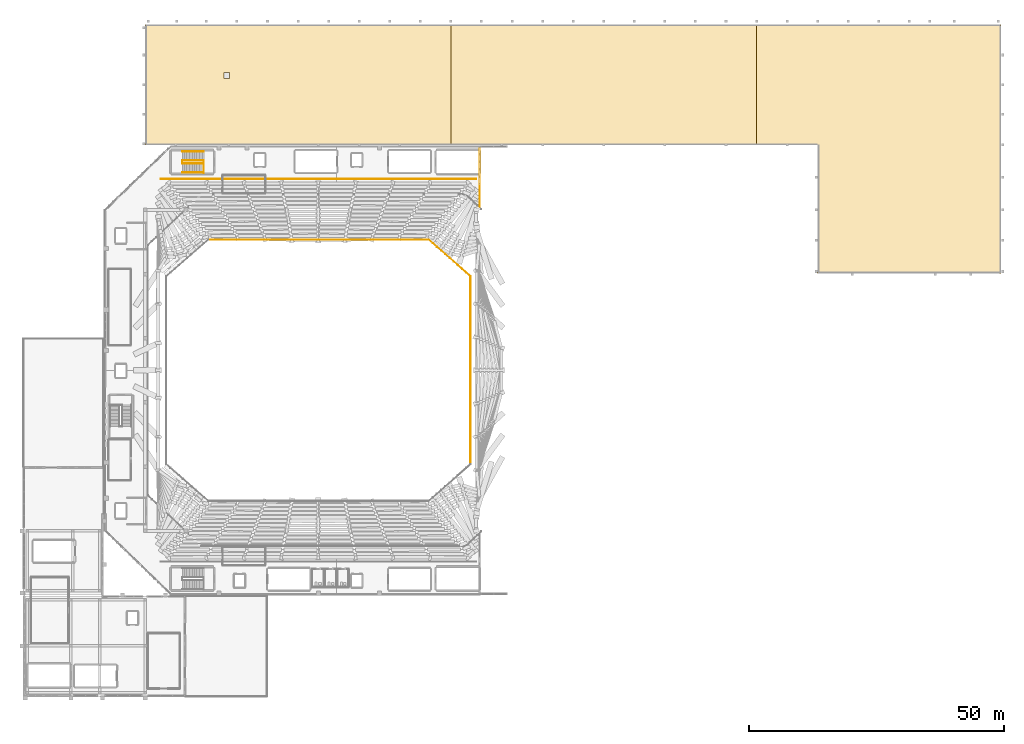
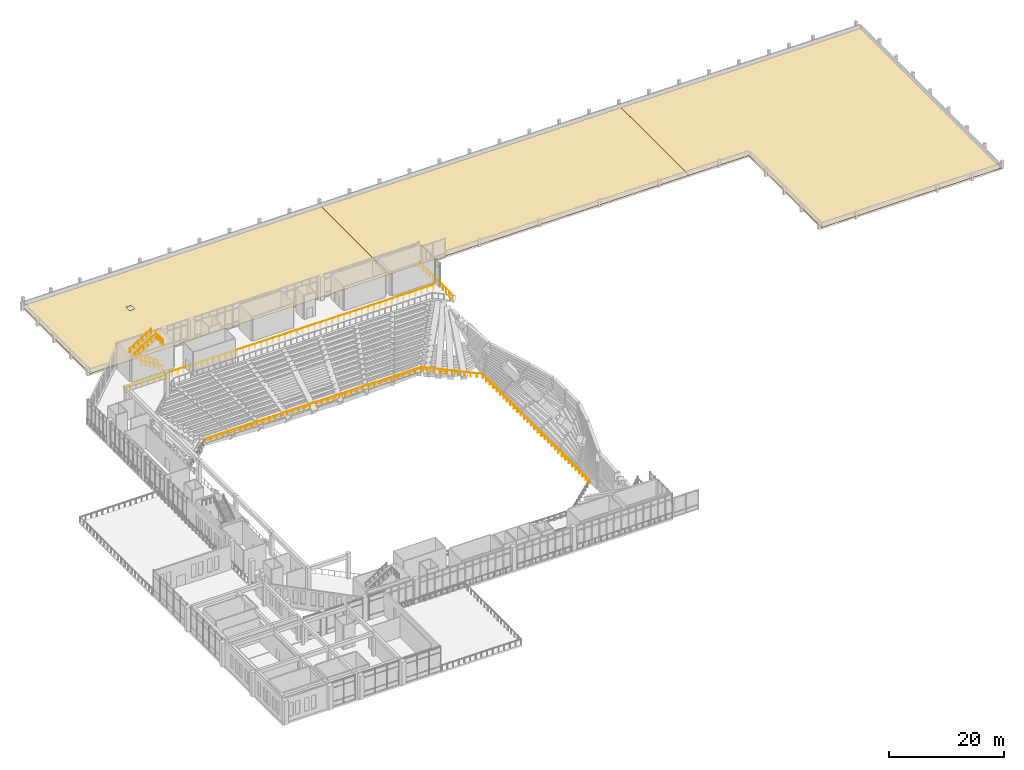
# One storey, part 54 of 55: 9 railings, 3 coverings, 1 element without a shape of its own.
"""IFC4 building model written with IfcOpenShell, lengths in metres."""

from ifc_helpers import new_model, si_unit, derived_unit, direction, frame, origin, origin_2d, place, context, subcontext, project, spatial, polyline, circle, outline, extrude, material, layer, layer_set, type_object, element, aggregate, save


model = new_model("IFC4")

# Units and contexts
model_context = context("Model", 3, precision=1e-05, world=origin(), true_north=direction((0.0, 1.0)))
body_context = subcontext(model_context, "Body", "Model", "MODEL_VIEW")
ifc_project = project(units=[si_unit("LENGTHUNIT", "METRE"), si_unit("AREAUNIT", "SQUARE_METRE"), si_unit("VOLUMEUNIT", "CUBIC_METRE"), si_unit("PLANEANGLEUNIT", "RADIAN"), si_unit("MASSUNIT", "GRAM", prefix="KILO"), derived_unit("THERMALTRANSMITTANCEUNIT", [(si_unit("MASSUNIT", "GRAM", prefix="KILO"), 1), (si_unit("TIMEUNIT", "SECOND"), -3), (si_unit("THERMODYNAMICTEMPERATUREUNIT", "KELVIN"), -1)])], contexts=[model_context])

# Site, building, storey
site_placement = place(None, origin())
site = spatial("IfcSite", under=ifc_project, at=site_placement, CompositionType="ELEMENT")
building_placement = place(site_placement, origin())
building = spatial("IfcBuilding", under=site, at=building_placement, Name="Valcora Ridge Arena", CompositionType="ELEMENT")
storey_placement = place(building_placement, frame((0.0, 0.0, 21.0)))
storey = spatial("IfcBuildingStorey", under=building, at=storey_placement, Name="L04", CompositionType="ELEMENT", Elevation=21.0)

# Roof, coverings
ifc_material_1 = material(Name="Weathered zinc-bronze standing-seam metal Grade Z275")
roof_type = type_object("IfcRoofType", Name="TY-ROOF-ROOF-SYS-V5", PredefinedType="FLAT_ROOF", material=ifc_material_1)
roof_placement = place(storey_placement, origin())
roof = element("IfcRoof", 1, at=roof_placement, inside=storey, type_object=roof_type, Name="ROOF-SYS-V5 ROF-0005", PredefinedType="FLAT_ROOF")
ifc_layer = layer(ifc_material_1, 0.0400390625, Name="Weathered zinc-bronze standing-seam metal Grade Z275")
ifc_layer_set = layer_set([ifc_layer], Name="Weathered zinc-bronze standing-seam metal Grade Z275")
covering_type = type_object("IfcCoveringType", Name="TY-COVERING-COV-ZINC-V5", PredefinedType="ROOFING", material=ifc_layer_set)
covering_1_placement = place(storey_placement, origin())
covering_1 = element("IfcCovering", 2, at=covering_1_placement, type_object=covering_type, Name="COV-ZINC-V5 COV-RF-0103", PredefinedType="ROOFING", context=body_context, shape_type="SweptSolid", body=[
    extrude(outline(polyline([(24.0, 108.35009765625), (84.0, 108.35009765625), (84.0, 132.0), (24.0, 132.0), (24.0, 108.35009765625)]), holes=[polyline([(40.544921875, 122.594970703125), (39.455078125, 122.594970703125), (39.455078125, 121.405029296875), (40.544921875, 121.405029296875), (40.544921875, 122.594970703125)])]), origin(), (0.0, 0.0, 1.0), 0.0400390625),
])
covering_2_placement = place(storey_placement, origin())
covering_2 = element("IfcCovering", 3, at=covering_2_placement, type_object=covering_type, Name="COV-ZINC-V5 COV-RF-0104", PredefinedType="ROOFING", context=body_context, shape_type="SweptSolid", body=[
    extrude(outline(polyline([(84.0, 108.35009765625), (144.0, 108.35009765625), (144.0, 132.0), (84.0, 132.0), (84.0, 108.35009765625)])), origin(), (0.0, 0.0, 1.0), 0.0400390625),
])
covering_3_placement = place(storey_placement, origin())
covering_3 = element("IfcCovering", 4, at=covering_3_placement, type_object=covering_type, Name="COV-ZINC-V5 COV-RF-0105", PredefinedType="ROOFING", context=body_context, shape_type="SweptSolid", body=[
    extrude(outline(polyline([(156.0, 83.14990234375), (192.0, 83.14990234375), (192.0, 108.35009765625), (192.0, 132.0), (144.0, 132.0), (144.0, 108.35009765625), (156.0, 108.35009765625), (156.0, 83.14990234375)])), origin(), (0.0, 0.0, 1.0), 0.0400390625),
])
aggregate(roof, [covering_1, covering_2, covering_3])

# Railings
ifc_material_2 = material(Name="Galvanized painted steel ASTM A500 Grade B", Category="steel")
railing_type_1 = type_object("IfcRailingType", Name="TY-RAILING-BAL-BOWL-850", PredefinedType="BALUSTRADE", material=ifc_material_2)
railing_1_placement = place(storey_placement, frame((87.85009765625, 45.64990234375, -7.60009765625)))
element("IfcRailing", 5, at=railing_1_placement, inside=storey, type_object=railing_type_1, Name="BAL-BOWL-850 RAL-BW-0019", PredefinedType="BALUSTRADE", context=body_context, shape_type="SweptSolid", body=[
    extrude(circle(Radius=0.02392578125, at=origin_2d()), frame((0.0, 0.0, 0.826171875), z_axis=(0.0, 1.0, 0.0), x_axis=(-1.0, 0.0, 0.0)), (0.0, 0.0, 1.0), 36.900146484375),
    extrude(circle(Radius=0.02099609375, at=origin_2d()), origin(), (0.0, 0.0, 1.0), 0.802001953125),
    extrude(circle(Radius=0.02099609375, at=origin_2d()), frame((0.0, 1.1904296875, 0.0)), (0.0, 0.0, 1.0), 0.802001953125),
    extrude(circle(Radius=0.02099609375, at=origin_2d()), frame((0.0, 2.380615234375, 0.0)), (0.0, 0.0, 1.0), 0.802001953125),
    extrude(circle(Radius=0.02099609375, at=origin_2d()), frame((0.0, 3.571044921875, 0.0)), (0.0, 0.0, 1.0), 0.802001953125),
    extrude(circle(Radius=0.02099609375, at=origin_2d()), frame((0.0, 4.76123046875, 0.0)), (0.0, 0.0, 1.0), 0.802001953125),
    extrude(circle(Radius=0.02099609375, at=origin_2d()), frame((0.0, 5.95166015625, 0.0)), (0.0, 0.0, 1.0), 0.802001953125),
    extrude(circle(Radius=0.02099609375, at=origin_2d()), frame((0.0, 7.141845703125, 0.0)), (0.0, 0.0, 1.0), 0.802001953125),
    extrude(circle(Radius=0.02099609375, at=origin_2d()), frame((0.0, 8.332275390625, 0.0)), (0.0, 0.0, 1.0), 0.802001953125),
    extrude(circle(Radius=0.02099609375, at=origin_2d()), frame((0.0, 9.522705078125, 0.0)), (0.0, 0.0, 1.0), 0.802001953125),
    extrude(circle(Radius=0.02099609375, at=origin_2d()), frame((0.0, 10.712890625, 0.0)), (0.0, 0.0, 1.0), 0.802001953125),
    extrude(circle(Radius=0.02099609375, at=origin_2d()), frame((0.0, 11.9033203125, 0.0)), (0.0, 0.0, 1.0), 0.802001953125),
    extrude(circle(Radius=0.02099609375, at=origin_2d()), frame((0.0, 13.093505859375, 0.0)), (0.0, 0.0, 1.0), 0.802001953125),
    extrude(circle(Radius=0.02099609375, at=origin_2d()), frame((0.0, 14.283935546875, 0.0)), (0.0, 0.0, 1.0), 0.802001953125),
    extrude(circle(Radius=0.02099609375, at=origin_2d()), frame((0.0, 15.474365234375, 0.0)), (0.0, 0.0, 1.0), 0.802001953125),
    extrude(circle(Radius=0.02099609375, at=origin_2d()), frame((0.0, 16.66455078125, 0.0)), (0.0, 0.0, 1.0), 0.802001953125),
    extrude(circle(Radius=0.02099609375, at=origin_2d()), frame((0.0, 17.85498046875, 0.0)), (0.0, 0.0, 1.0), 0.802001953125),
    extrude(circle(Radius=0.02099609375, at=origin_2d()), frame((0.0, 19.045166015625, 0.0)), (0.0, 0.0, 1.0), 0.802001953125),
    extrude(circle(Radius=0.02099609375, at=origin_2d()), frame((0.0, 20.235595703125, 0.0)), (0.0, 0.0, 1.0), 0.802001953125),
    extrude(circle(Radius=0.02099609375, at=origin_2d()), frame((0.0, 21.42578125, 0.0)), (0.0, 0.0, 1.0), 0.802001953125),
    extrude(circle(Radius=0.02099609375, at=origin_2d()), frame((0.0, 22.6162109375, 0.0)), (0.0, 0.0, 1.0), 0.802001953125),
    extrude(circle(Radius=0.02099609375, at=origin_2d()), frame((0.0, 23.806640625, 0.0)), (0.0, 0.0, 1.0), 0.802001953125),
    extrude(circle(Radius=0.02099609375, at=origin_2d()), frame((0.0, 24.996826171875, 0.0)), (0.0, 0.0, 1.0), 0.802001953125),
    extrude(circle(Radius=0.02099609375, at=origin_2d()), frame((0.0, 26.187255859375, 0.0)), (0.0, 0.0, 1.0), 0.802001953125),
    extrude(circle(Radius=0.02099609375, at=origin_2d()), frame((0.0, 27.37744140625, 0.0)), (0.0, 0.0, 1.0), 0.802001953125),
    extrude(circle(Radius=0.02099609375, at=origin_2d()), frame((0.0, 28.56787109375, 0.0)), (0.0, 0.0, 1.0), 0.802001953125),
    extrude(circle(Radius=0.02099609375, at=origin_2d()), frame((0.0, 29.75830078125, 0.0)), (0.0, 0.0, 1.0), 0.802001953125),
    extrude(circle(Radius=0.02099609375, at=origin_2d()), frame((0.0, 30.948486328125, 0.0)), (0.0, 0.0, 1.0), 0.802001953125),
    extrude(circle(Radius=0.02099609375, at=origin_2d()), frame((0.0, 32.138916015625, 0.0)), (0.0, 0.0, 1.0), 0.802001953125),
    extrude(circle(Radius=0.02099609375, at=origin_2d()), frame((0.0, 33.3291015625, 0.0)), (0.0, 0.0, 1.0), 0.802001953125),
    extrude(circle(Radius=0.02099609375, at=origin_2d()), frame((0.0, 34.51953125, 0.0)), (0.0, 0.0, 1.0), 0.802001953125),
    extrude(circle(Radius=0.02099609375, at=origin_2d()), frame((0.0, 35.709716796875, 0.0)), (0.0, 0.0, 1.0), 0.802001953125),
    extrude(circle(Radius=0.02099609375, at=origin_2d()), frame((0.0, 36.900146484375, 0.0)), (0.0, 0.0, 1.0), 0.802001953125),
])
railing_2_placement = place(storey_placement, frame((87.85009765625, 82.550048828125, -7.60009765625)))
element("IfcRailing", 6, at=railing_2_placement, inside=storey, type_object=railing_type_1, Name="BAL-BOWL-850 RAL-BW-0020", PredefinedType="BALUSTRADE", context=body_context, shape_type="SweptSolid", body=[
    extrude(circle(Radius=0.02392578125, at=origin_2d()), frame((0.0, 0.0, 0.826171875), z_axis=(-0.751450235134, 0.659789772667, 0.0), x_axis=(-0.659789772667, -0.751450235134, 0.0)), (0.0, 0.0, 1.0), 10.91259765625),
    extrude(circle(Radius=0.02099609375, at=origin_2d()), origin(), (0.0, 0.0, 1.0), 0.802001953125),
    extrude(circle(Radius=0.02099609375, at=origin_2d()), frame((-0.820068359375, 0.719970703125, 0.0)), (0.0, 0.0, 1.0), 0.802001953125),
    extrude(circle(Radius=0.02099609375, at=origin_2d()), frame((-1.64013671875, 1.43994140625, 0.0)), (0.0, 0.0, 1.0), 0.802001953125),
    extrude(circle(Radius=0.02099609375, at=origin_2d()), frame((-2.4599609375, 2.159912109375, 0.0)), (0.0, 0.0, 1.0), 0.802001953125),
    extrude(circle(Radius=0.02099609375, at=origin_2d()), frame((-3.280029296875, 2.8798828125, 0.0)), (0.0, 0.0, 1.0), 0.802001953125),
    extrude(circle(Radius=0.02099609375, at=origin_2d()), frame((-4.10009765625, 3.60009765625, 0.0)), (0.0, 0.0, 1.0), 0.802001953125),
    extrude(circle(Radius=0.02099609375, at=origin_2d()), frame((-4.920166015625, 4.320068359375, 0.0)), (0.0, 0.0, 1.0), 0.802001953125),
    extrude(circle(Radius=0.02099609375, at=origin_2d()), frame((-5.740234375, 5.0400390625, 0.0)), (0.0, 0.0, 1.0), 0.802001953125),
    extrude(circle(Radius=0.02099609375, at=origin_2d()), frame((-6.56005859375, 5.760009765625, 0.0)), (0.0, 0.0, 1.0), 0.802001953125),
    extrude(circle(Radius=0.02099609375, at=origin_2d()), frame((-7.380126953125, 6.47998046875, 0.0)), (0.0, 0.0, 1.0), 0.802001953125),
    extrude(circle(Radius=0.02099609375, at=origin_2d()), frame((-8.2001953125, 7.199951171875, 0.0)), (0.0, 0.0, 1.0), 0.802001953125),
])
railing_3_placement = place(storey_placement, frame((79.64990234375, 89.75, -7.60009765625)))
element("IfcRailing", 7, at=railing_3_placement, inside=storey, type_object=railing_type_1, Name="BAL-BOWL-850 RAL-BW-0021", PredefinedType="BALUSTRADE", context=body_context, shape_type="SweptSolid", body=[
    extrude(circle(Radius=0.02392578125, at=origin_2d()), frame((0.0, 0.0, 0.826171875), z_axis=(-1.0, 0.0, 0.0), x_axis=(0.0, -1.0, 0.0)), (0.0, 0.0, 1.0), 43.2998046875),
    extrude(circle(Radius=0.02099609375, at=origin_2d()), origin(), (0.0, 0.0, 1.0), 0.802001953125),
    extrude(circle(Radius=0.02099609375, at=origin_2d()), frame((-1.170166015625, 0.0, 0.0)), (0.0, 0.0, 1.0), 0.802001953125),
    extrude(circle(Radius=0.02099609375, at=origin_2d()), frame((-2.340576171875, 0.0, 0.0)), (0.0, 0.0, 1.0), 0.802001953125),
    extrude(circle(Radius=0.02099609375, at=origin_2d()), frame((-3.5107421875, 0.0, 0.0)), (0.0, 0.0, 1.0), 0.802001953125),
    extrude(circle(Radius=0.02099609375, at=origin_2d()), frame((-4.68115234375, 0.0, 0.0)), (0.0, 0.0, 1.0), 0.802001953125),
    extrude(circle(Radius=0.02099609375, at=origin_2d()), frame((-5.851318359375, 0.0, 0.0)), (0.0, 0.0, 1.0), 0.802001953125),
    extrude(circle(Radius=0.02099609375, at=origin_2d()), frame((-7.021484375, 0.0, 0.0)), (0.0, 0.0, 1.0), 0.802001953125),
    extrude(circle(Radius=0.02099609375, at=origin_2d()), frame((-8.19189453125, 0.0, 0.0)), (0.0, 0.0, 1.0), 0.802001953125),
    extrude(circle(Radius=0.02099609375, at=origin_2d()), frame((-9.362060546875, 0.0, 0.0)), (0.0, 0.0, 1.0), 0.802001953125),
    extrude(circle(Radius=0.02099609375, at=origin_2d()), frame((-10.532470703125, 0.0, 0.0)), (0.0, 0.0, 1.0), 0.802001953125),
    extrude(circle(Radius=0.02099609375, at=origin_2d()), frame((-11.70263671875, 0.0, 0.0)), (0.0, 0.0, 1.0), 0.802001953125),
    extrude(circle(Radius=0.02099609375, at=origin_2d()), frame((-12.872802734375, 0.0, 0.0)), (0.0, 0.0, 1.0), 0.802001953125),
    extrude(circle(Radius=0.02099609375, at=origin_2d()), frame((-14.043212890625, 0.0, 0.0)), (0.0, 0.0, 1.0), 0.802001953125),
    extrude(circle(Radius=0.02099609375, at=origin_2d()), frame((-15.21337890625, 0.0, 0.0)), (0.0, 0.0, 1.0), 0.802001953125),
    extrude(circle(Radius=0.02099609375, at=origin_2d()), frame((-16.3837890625, 0.0, 0.0)), (0.0, 0.0, 1.0), 0.802001953125),
    extrude(circle(Radius=0.02099609375, at=origin_2d()), frame((-17.553955078125, 0.0, 0.0)), (0.0, 0.0, 1.0), 0.802001953125),
    extrude(circle(Radius=0.02099609375, at=origin_2d()), frame((-18.72412109375, 0.0, 0.0)), (0.0, 0.0, 1.0), 0.802001953125),
    extrude(circle(Radius=0.02099609375, at=origin_2d()), frame((-19.89453125, 0.0, 0.0)), (0.0, 0.0, 1.0), 0.802001953125),
    extrude(circle(Radius=0.02099609375, at=origin_2d()), frame((-21.064697265625, 0.0, 0.0)), (0.0, 0.0, 1.0), 0.802001953125),
    extrude(circle(Radius=0.02099609375, at=origin_2d()), frame((-22.235107421875, 0.0, 0.0)), (0.0, 0.0, 1.0), 0.802001953125),
    extrude(circle(Radius=0.02099609375, at=origin_2d()), frame((-23.4052734375, 0.0, 0.0)), (0.0, 0.0, 1.0), 0.802001953125),
    extrude(circle(Radius=0.02099609375, at=origin_2d()), frame((-24.57568359375, 0.0, 0.0)), (0.0, 0.0, 1.0), 0.802001953125),
    extrude(circle(Radius=0.02099609375, at=origin_2d()), frame((-25.745849609375, 0.0, 0.0)), (0.0, 0.0, 1.0), 0.802001953125),
    extrude(circle(Radius=0.02099609375, at=origin_2d()), frame((-26.916015625, 0.0, 0.0)), (0.0, 0.0, 1.0), 0.802001953125),
    extrude(circle(Radius=0.02099609375, at=origin_2d()), frame((-28.08642578125, 0.0, 0.0)), (0.0, 0.0, 1.0), 0.802001953125),
    extrude(circle(Radius=0.02099609375, at=origin_2d()), frame((-29.256591796875, 0.0, 0.0)), (0.0, 0.0, 1.0), 0.802001953125),
    extrude(circle(Radius=0.02099609375, at=origin_2d()), frame((-30.427001953125, 0.0, 0.0)), (0.0, 0.0, 1.0), 0.802001953125),
    extrude(circle(Radius=0.02099609375, at=origin_2d()), frame((-31.59716796875, 0.0, 0.0)), (0.0, 0.0, 1.0), 0.802001953125),
    extrude(circle(Radius=0.02099609375, at=origin_2d()), frame((-32.767333984375, 0.0, 0.0)), (0.0, 0.0, 1.0), 0.802001953125),
    extrude(circle(Radius=0.02099609375, at=origin_2d()), frame((-33.937744140625, 0.0, 0.0)), (0.0, 0.0, 1.0), 0.802001953125),
    extrude(circle(Radius=0.02099609375, at=origin_2d()), frame((-35.10791015625, 0.0, 0.0)), (0.0, 0.0, 1.0), 0.802001953125),
    extrude(circle(Radius=0.02099609375, at=origin_2d()), frame((-36.2783203125, 0.0, 0.0)), (0.0, 0.0, 1.0), 0.802001953125),
    extrude(circle(Radius=0.02099609375, at=origin_2d()), frame((-37.448486328125, 0.0, 0.0)), (0.0, 0.0, 1.0), 0.802001953125),
    extrude(circle(Radius=0.02099609375, at=origin_2d()), frame((-38.61865234375, 0.0, 0.0)), (0.0, 0.0, 1.0), 0.802001953125),
    extrude(circle(Radius=0.02099609375, at=origin_2d()), frame((-39.7890625, 0.0, 0.0)), (0.0, 0.0, 1.0), 0.802001953125),
    extrude(circle(Radius=0.02099609375, at=origin_2d()), frame((-40.959228515625, 0.0, 0.0)), (0.0, 0.0, 1.0), 0.802001953125),
    extrude(circle(Radius=0.02099609375, at=origin_2d()), frame((-42.129638671875, 0.0, 0.0)), (0.0, 0.0, 1.0), 0.802001953125),
    extrude(circle(Radius=0.02099609375, at=origin_2d()), frame((-43.2998046875, 0.0, 0.0)), (0.0, 0.0, 1.0), 0.802001953125),
])
railing_type_2 = type_object("IfcRailingType", Name="TY-RAILING-GRD-STAIR-1120", PredefinedType="GUARDRAIL", material=ifc_material_2)
railing_4_placement = place(storey_placement, frame((35.489990234375, 104.699951171875, 0.0)))
element("IfcRailing", 8, at=railing_4_placement, inside=storey, type_object=railing_type_2, Name="GRD-STAIR-1120 RAL-SG-0033", PredefinedType="GUARDRAIL", context=body_context, shape_type="SweptSolid", body=[
    extrude(circle(Radius=0.02392578125, at=origin_2d()), frame((0.0, 0.0, 1.09619140625), z_axis=(-0.841180064094, 0.0, 0.540755119968), x_axis=(0.0, -1.0, 0.0)), (0.0, 0.0, 1.0), 4.992919921875),
    extrude(circle(Radius=0.02392578125, at=origin_2d()), frame((-4.199951171875, 0.0, 3.7958984375), z_axis=(0.0, 1.0, 0.0), x_axis=(-1.0, 0.0, 0.0)), (0.0, 0.0, 1.0), 0.60009765625),
    extrude(circle(Radius=0.02392578125, at=origin_2d()), frame((-4.199951171875, 0.60009765625, 3.7958984375), z_axis=(0.841180064094, 0.0, 0.540755119968), x_axis=(0.0, 1.0, 0.0)), (0.0, 0.0, 1.0), 4.992919921875),
    extrude(circle(Radius=0.02099609375, at=origin_2d()), origin(), (0.0, 0.0, 1.0), 1.072021484375),
    extrude(circle(Radius=0.02099609375, at=origin_2d()), frame((-0.840087890625, 0.0, 0.5400390625)), (0.0, 0.0, 1.0), 1.072021484375),
    extrude(circle(Radius=0.02099609375, at=origin_2d()), frame((-1.679931640625, 0.0, 1.080078125)), (0.0, 0.0, 1.0), 1.072021484375),
    extrude(circle(Radius=0.02099609375, at=origin_2d()), frame((-2.52001953125, 0.0, 1.619873046875)), (0.0, 0.0, 1.0), 1.072021484375),
    extrude(circle(Radius=0.02099609375, at=origin_2d()), frame((-3.35986328125, 0.0, 2.159912109375)), (0.0, 0.0, 1.0), 1.072021484375),
    extrude(circle(Radius=0.02099609375, at=origin_2d()), frame((-4.199951171875, 0.0, 2.699951171875)), (0.0, 0.0, 1.0), 1.072021484375),
    extrude(circle(Radius=0.02099609375, at=origin_2d()), frame((-4.199951171875, 0.60009765625, 2.699951171875)), (0.0, 0.0, 1.0), 1.072021484375),
    extrude(circle(Radius=0.02099609375, at=origin_2d()), frame((-3.35986328125, 0.60009765625, 3.239990234375)), (0.0, 0.0, 1.0), 1.072021484375),
    extrude(circle(Radius=0.02099609375, at=origin_2d()), frame((-2.52001953125, 0.60009765625, 3.780029296875)), (0.0, 0.0, 1.0), 1.072021484375),
    extrude(circle(Radius=0.02099609375, at=origin_2d()), frame((-1.679931640625, 0.60009765625, 4.31982421875)), (0.0, 0.0, 1.0), 1.072021484375),
    extrude(circle(Radius=0.02099609375, at=origin_2d()), frame((-0.840087890625, 0.60009765625, 4.85986328125)), (0.0, 0.0, 1.0), 1.072021484375),
    extrude(circle(Radius=0.02099609375, at=origin_2d()), frame((0.0, 0.60009765625, 5.39990234375)), (0.0, 0.0, 1.0), 1.072021484375),
])
railing_5_placement = place(storey_placement, frame((35.489990234375, 102.85009765625, 5.39990234375)))
element("IfcRailing", 9, at=railing_5_placement, inside=storey, type_object=railing_type_2, Name="GRD-STAIR-1120 RAL-SG-0034", PredefinedType="GUARDRAIL", context=body_context, shape_type="SweptSolid", body=[
    extrude(circle(Radius=0.02392578125, at=origin_2d()), frame((0.0, 0.0, 1.09619140625), z_axis=(0.0, 1.0, 0.0), x_axis=(-1.0, 0.0, 0.0)), (0.0, 0.0, 1.0), 2.449951171875),
    extrude(circle(Radius=0.02099609375, at=origin_2d()), origin(), (0.0, 0.0, 1.0), 1.072021484375),
    extrude(circle(Radius=0.02099609375, at=origin_2d()), frame((0.0, 0.816650390625, 0.0)), (0.0, 0.0, 1.0), 1.072021484375),
    extrude(circle(Radius=0.02099609375, at=origin_2d()), frame((0.0, 1.63330078125, 0.0)), (0.0, 0.0, 1.0), 1.072021484375),
    extrude(circle(Radius=0.02099609375, at=origin_2d()), frame((0.0, 2.449951171875, 0.0)), (0.0, 0.0, 1.0), 1.072021484375),
])
railing_type_3 = type_object("IfcRailingType", Name="TY-RAILING-GRD-VOID-1120", PredefinedType="GUARDRAIL", material=ifc_material_2)
railing_6_placement = place(storey_placement, frame((88.949951171875, 101.64990234375, -0.8798828125)))
element("IfcRailing", 10, at=railing_6_placement, inside=storey, type_object=railing_type_3, Name="GRD-VOID-1120 RAL-BW-0026", PredefinedType="GUARDRAIL", context=body_context, shape_type="SweptSolid", body=[
    extrude(circle(Radius=0.02392578125, at=origin_2d()), frame((0.0, 0.0, 1.09619140625), z_axis=(-1.0, 0.0, 0.0), x_axis=(0.0, -1.0, 0.0)), (0.0, 0.0, 1.0), 61.89990234375),
    extrude(circle(Radius=0.02099609375, at=origin_2d()), origin(), (0.0, 0.0, 1.0), 1.072021484375),
    extrude(circle(Radius=0.02099609375, at=origin_2d()), frame((-1.1904296875, 0.0, 0.0)), (0.0, 0.0, 1.0), 1.072021484375),
    extrude(circle(Radius=0.02099609375, at=origin_2d()), frame((-2.380859375, 0.0, 0.0)), (0.0, 0.0, 1.0), 1.072021484375),
    extrude(circle(Radius=0.02099609375, at=origin_2d()), frame((-3.571044921875, 0.0, 0.0)), (0.0, 0.0, 1.0), 1.072021484375),
    extrude(circle(Radius=0.02099609375, at=origin_2d()), frame((-4.761474609375, 0.0, 0.0)), (0.0, 0.0, 1.0), 1.072021484375),
    extrude(circle(Radius=0.02099609375, at=origin_2d()), frame((-5.951904296875, 0.0, 0.0)), (0.0, 0.0, 1.0), 1.072021484375),
    extrude(circle(Radius=0.02099609375, at=origin_2d()), frame((-7.142333984375, 0.0, 0.0)), (0.0, 0.0, 1.0), 1.072021484375),
    extrude(circle(Radius=0.02099609375, at=origin_2d()), frame((-8.332763671875, 0.0, 0.0)), (0.0, 0.0, 1.0), 1.072021484375),
    extrude(circle(Radius=0.02099609375, at=origin_2d()), frame((-9.52294921875, 0.0, 0.0)), (0.0, 0.0, 1.0), 1.072021484375),
    extrude(circle(Radius=0.02099609375, at=origin_2d()), frame((-10.71337890625, 0.0, 0.0)), (0.0, 0.0, 1.0), 1.072021484375),
    extrude(circle(Radius=0.02099609375, at=origin_2d()), frame((-11.90380859375, 0.0, 0.0)), (0.0, 0.0, 1.0), 1.072021484375),
    extrude(circle(Radius=0.02099609375, at=origin_2d()), frame((-13.09423828125, 0.0, 0.0)), (0.0, 0.0, 1.0), 1.072021484375),
    extrude(circle(Radius=0.02099609375, at=origin_2d()), frame((-14.28466796875, 0.0, 0.0)), (0.0, 0.0, 1.0), 1.072021484375),
    extrude(circle(Radius=0.02099609375, at=origin_2d()), frame((-15.47509765625, 0.0, 0.0)), (0.0, 0.0, 1.0), 1.072021484375),
    extrude(circle(Radius=0.02099609375, at=origin_2d()), frame((-16.665283203125, 0.0, 0.0)), (0.0, 0.0, 1.0), 1.072021484375),
    extrude(circle(Radius=0.02099609375, at=origin_2d()), frame((-17.855712890625, 0.0, 0.0)), (0.0, 0.0, 1.0), 1.072021484375),
    extrude(circle(Radius=0.02099609375, at=origin_2d()), frame((-19.046142578125, 0.0, 0.0)), (0.0, 0.0, 1.0), 1.072021484375),
    extrude(circle(Radius=0.02099609375, at=origin_2d()), frame((-20.236572265625, 0.0, 0.0)), (0.0, 0.0, 1.0), 1.072021484375),
    extrude(circle(Radius=0.02099609375, at=origin_2d()), frame((-21.427001953125, 0.0, 0.0)), (0.0, 0.0, 1.0), 1.072021484375),
    extrude(circle(Radius=0.02099609375, at=origin_2d()), frame((-22.6171875, 0.0, 0.0)), (0.0, 0.0, 1.0), 1.072021484375),
    extrude(circle(Radius=0.02099609375, at=origin_2d()), frame((-23.8076171875, 0.0, 0.0)), (0.0, 0.0, 1.0), 1.072021484375),
    extrude(circle(Radius=0.02099609375, at=origin_2d()), frame((-24.998046875, 0.0, 0.0)), (0.0, 0.0, 1.0), 1.072021484375),
    extrude(circle(Radius=0.02099609375, at=origin_2d()), frame((-26.1884765625, 0.0, 0.0)), (0.0, 0.0, 1.0), 1.072021484375),
    extrude(circle(Radius=0.02099609375, at=origin_2d()), frame((-27.37890625, 0.0, 0.0)), (0.0, 0.0, 1.0), 1.072021484375),
    extrude(circle(Radius=0.02099609375, at=origin_2d()), frame((-28.569091796875, 0.0, 0.0)), (0.0, 0.0, 1.0), 1.072021484375),
    extrude(circle(Radius=0.02099609375, at=origin_2d()), frame((-29.759521484375, 0.0, 0.0)), (0.0, 0.0, 1.0), 1.072021484375),
    extrude(circle(Radius=0.02099609375, at=origin_2d()), frame((-30.949951171875, 0.0, 0.0)), (0.0, 0.0, 1.0), 1.072021484375),
    extrude(circle(Radius=0.02099609375, at=origin_2d()), frame((-32.140380859375, 0.0, 0.0)), (0.0, 0.0, 1.0), 1.072021484375),
    extrude(circle(Radius=0.02099609375, at=origin_2d()), frame((-33.330810546875, 0.0, 0.0)), (0.0, 0.0, 1.0), 1.072021484375),
    extrude(circle(Radius=0.02099609375, at=origin_2d()), frame((-34.52099609375, 0.0, 0.0)), (0.0, 0.0, 1.0), 1.072021484375),
    extrude(circle(Radius=0.02099609375, at=origin_2d()), frame((-35.71142578125, 0.0, 0.0)), (0.0, 0.0, 1.0), 1.072021484375),
    extrude(circle(Radius=0.02099609375, at=origin_2d()), frame((-36.90185546875, 0.0, 0.0)), (0.0, 0.0, 1.0), 1.072021484375),
    extrude(circle(Radius=0.02099609375, at=origin_2d()), frame((-38.09228515625, 0.0, 0.0)), (0.0, 0.0, 1.0), 1.072021484375),
    extrude(circle(Radius=0.02099609375, at=origin_2d()), frame((-39.28271484375, 0.0, 0.0)), (0.0, 0.0, 1.0), 1.072021484375),
    extrude(circle(Radius=0.02099609375, at=origin_2d()), frame((-40.472900390625, 0.0, 0.0)), (0.0, 0.0, 1.0), 1.072021484375),
    extrude(circle(Radius=0.02099609375, at=origin_2d()), frame((-41.663330078125, 0.0, 0.0)), (0.0, 0.0, 1.0), 1.072021484375),
    extrude(circle(Radius=0.02099609375, at=origin_2d()), frame((-42.853759765625, 0.0, 0.0)), (0.0, 0.0, 1.0), 1.072021484375),
    extrude(circle(Radius=0.02099609375, at=origin_2d()), frame((-44.044189453125, 0.0, 0.0)), (0.0, 0.0, 1.0), 1.072021484375),
    extrude(circle(Radius=0.02099609375, at=origin_2d()), frame((-45.234619140625, 0.0, 0.0)), (0.0, 0.0, 1.0), 1.072021484375),
    extrude(circle(Radius=0.02099609375, at=origin_2d()), frame((-46.4248046875, 0.0, 0.0)), (0.0, 0.0, 1.0), 1.072021484375),
    extrude(circle(Radius=0.02099609375, at=origin_2d()), frame((-47.615234375, 0.0, 0.0)), (0.0, 0.0, 1.0), 1.072021484375),
    extrude(circle(Radius=0.02099609375, at=origin_2d()), frame((-48.8056640625, 0.0, 0.0)), (0.0, 0.0, 1.0), 1.072021484375),
    extrude(circle(Radius=0.02099609375, at=origin_2d()), frame((-49.99609375, 0.0, 0.0)), (0.0, 0.0, 1.0), 1.072021484375),
    extrude(circle(Radius=0.02099609375, at=origin_2d()), frame((-51.1865234375, 0.0, 0.0)), (0.0, 0.0, 1.0), 1.072021484375),
    extrude(circle(Radius=0.02099609375, at=origin_2d()), frame((-52.376953125, 0.0, 0.0)), (0.0, 0.0, 1.0), 1.072021484375),
    extrude(circle(Radius=0.02099609375, at=origin_2d()), frame((-53.567138671875, 0.0, 0.0)), (0.0, 0.0, 1.0), 1.072021484375),
    extrude(circle(Radius=0.02099609375, at=origin_2d()), frame((-54.757568359375, 0.0, 0.0)), (0.0, 0.0, 1.0), 1.072021484375),
    extrude(circle(Radius=0.02099609375, at=origin_2d()), frame((-55.947998046875, 0.0, 0.0)), (0.0, 0.0, 1.0), 1.072021484375),
    extrude(circle(Radius=0.02099609375, at=origin_2d()), frame((-57.138427734375, 0.0, 0.0)), (0.0, 0.0, 1.0), 1.072021484375),
    extrude(circle(Radius=0.02099609375, at=origin_2d()), frame((-58.328857421875, 0.0, 0.0)), (0.0, 0.0, 1.0), 1.072021484375),
    extrude(circle(Radius=0.02099609375, at=origin_2d()), frame((-59.51904296875, 0.0, 0.0)), (0.0, 0.0, 1.0), 1.072021484375),
    extrude(circle(Radius=0.02099609375, at=origin_2d()), frame((-60.70947265625, 0.0, 0.0)), (0.0, 0.0, 1.0), 1.072021484375),
    extrude(circle(Radius=0.02099609375, at=origin_2d()), frame((-61.89990234375, 0.0, 0.0)), (0.0, 0.0, 1.0), 1.072021484375),
])
railing_7_placement = place(storey_placement, frame((89.679931640625, 107.60009765625, 0.0)))
element("IfcRailing", 11, at=railing_7_placement, inside=storey, type_object=railing_type_3, Name="GRD-VOID-1120 RAL-DK-0014", PredefinedType="GUARDRAIL", context=body_context, shape_type="SweptSolid", body=[
    extrude(circle(Radius=0.02392578125, at=origin_2d()), frame((0.0, 0.0, 1.09619140625), z_axis=(0.0, -1.0, 0.0), x_axis=(1.0, 0.0, 0.0)), (0.0, 0.0, 1.0), 11.377685546875),
    extrude(circle(Radius=0.02099609375, at=origin_2d()), origin(), (0.0, 0.0, 1.0), 1.072021484375),
    extrude(circle(Radius=0.02099609375, at=origin_2d()), frame((0.0, -1.1376953125, 0.0)), (0.0, 0.0, 1.0), 1.072021484375),
    extrude(circle(Radius=0.02099609375, at=origin_2d()), frame((0.0, -2.275634765625, 0.0)), (0.0, 0.0, 1.0), 1.072021484375),
    extrude(circle(Radius=0.02099609375, at=origin_2d()), frame((0.0, -3.413330078125, 0.0)), (0.0, 0.0, 1.0), 1.072021484375),
    extrude(circle(Radius=0.02099609375, at=origin_2d()), frame((0.0, -4.551025390625, 0.0)), (0.0, 0.0, 1.0), 1.072021484375),
    extrude(circle(Radius=0.02099609375, at=origin_2d()), frame((0.0, -5.68896484375, 0.0)), (0.0, 0.0, 1.0), 1.072021484375),
    extrude(circle(Radius=0.02099609375, at=origin_2d()), frame((0.0, -6.82666015625, 0.0)), (0.0, 0.0, 1.0), 1.072021484375),
    extrude(circle(Radius=0.02099609375, at=origin_2d()), frame((0.0, -7.96435546875, 0.0)), (0.0, 0.0, 1.0), 1.072021484375),
    extrude(circle(Radius=0.02099609375, at=origin_2d()), frame((0.0, -9.10205078125, 0.0)), (0.0, 0.0, 1.0), 1.072021484375),
    extrude(circle(Radius=0.02099609375, at=origin_2d()), frame((0.0, -10.239990234375, 0.0)), (0.0, 0.0, 1.0), 1.072021484375),
    extrude(circle(Radius=0.02099609375, at=origin_2d()), frame((0.0, -11.377685546875, 0.0)), (0.0, 0.0, 1.0), 1.072021484375),
])
railing_type_4 = type_object("IfcRailingType", Name="TY-RAILING-HR-STAIR-900", PredefinedType="HANDRAIL", material=ifc_material_2)
railing_8_placement = place(storey_placement, frame((35.489990234375, 102.93994140625, 0.0)))
element("IfcRailing", 12, at=railing_8_placement, inside=storey, type_object=railing_type_4, Name="HR-STAIR-900 RAL-SH-0033", PredefinedType="HANDRAIL", context=body_context, shape_type="SweptSolid", body=[
    extrude(circle(Radius=0.02392578125, at=origin_2d()), frame((0.0, 0.0, 0.8759765625), z_axis=(-0.841180064094, 0.0, 0.540755119968), x_axis=(0.0, -1.0, 0.0)), (0.0, 0.0, 1.0), 4.992919921875),
    extrude(circle(Radius=0.02099609375, at=origin_2d()), origin(), (0.0, 0.0, 1.0), 0.851806640625),
    extrude(circle(Radius=0.02099609375, at=origin_2d()), frame((-0.840087890625, 0.0, 0.5400390625)), (0.0, 0.0, 1.0), 0.851806640625),
    extrude(circle(Radius=0.02099609375, at=origin_2d()), frame((-1.679931640625, 0.0, 1.080078125)), (0.0, 0.0, 1.0), 0.851806640625),
    extrude(circle(Radius=0.02099609375, at=origin_2d()), frame((-2.52001953125, 0.0, 1.619873046875)), (0.0, 0.0, 1.0), 0.851806640625),
    extrude(circle(Radius=0.02099609375, at=origin_2d()), frame((-3.35986328125, 0.0, 2.159912109375)), (0.0, 0.0, 1.0), 0.851806640625),
    extrude(circle(Radius=0.02099609375, at=origin_2d()), frame((-4.199951171875, 0.0, 2.699951171875)), (0.0, 0.0, 1.0), 0.851806640625),
])
railing_9_placement = place(storey_placement, frame((31.2900390625, 107.06005859375, 2.699951171875)))
element("IfcRailing", 13, at=railing_9_placement, inside=storey, type_object=railing_type_4, Name="HR-STAIR-900 RAL-SH-0034", PredefinedType="HANDRAIL", context=body_context, shape_type="SweptSolid", body=[
    extrude(circle(Radius=0.02392578125, at=origin_2d()), frame((0.0, 0.0, 0.8759765625), z_axis=(0.841180064094, 0.0, 0.540755119968), x_axis=(0.0, 1.0, 0.0)), (0.0, 0.0, 1.0), 4.992919921875),
    extrude(circle(Radius=0.02099609375, at=origin_2d()), origin(), (0.0, 0.0, 1.0), 0.851806640625),
    extrude(circle(Radius=0.02099609375, at=origin_2d()), frame((0.840087890625, 0.0, 0.5400390625)), (0.0, 0.0, 1.0), 0.851806640625),
    extrude(circle(Radius=0.02099609375, at=origin_2d()), frame((1.679931640625, 0.0, 1.080078125)), (0.0, 0.0, 1.0), 0.851806640625),
    extrude(circle(Radius=0.02099609375, at=origin_2d()), frame((2.52001953125, 0.0, 1.619873046875)), (0.0, 0.0, 1.0), 0.851806640625),
    extrude(circle(Radius=0.02099609375, at=origin_2d()), frame((3.35986328125, 0.0, 2.159912109375)), (0.0, 0.0, 1.0), 0.851806640625),
    extrude(circle(Radius=0.02099609375, at=origin_2d()), frame((4.199951171875, 0.0, 2.699951171875)), (0.0, 0.0, 1.0), 0.851806640625),
])

save(model, "model.ifc")
